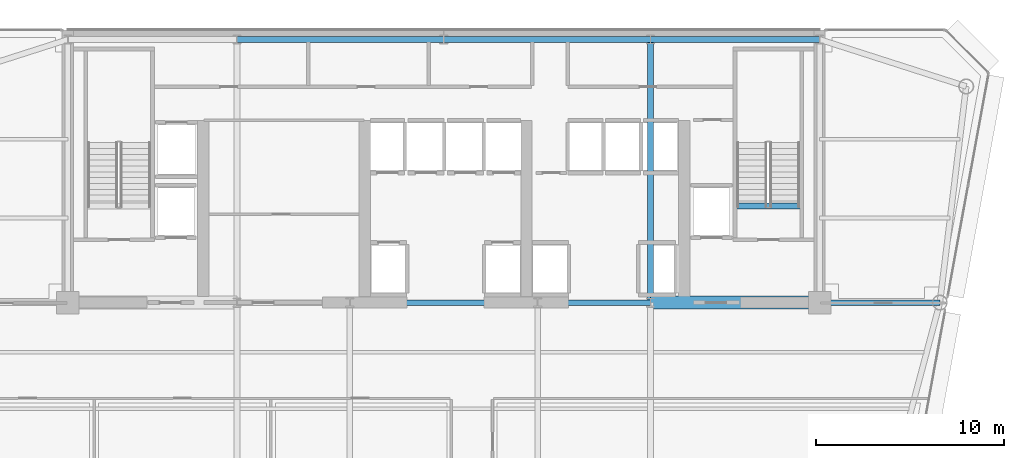
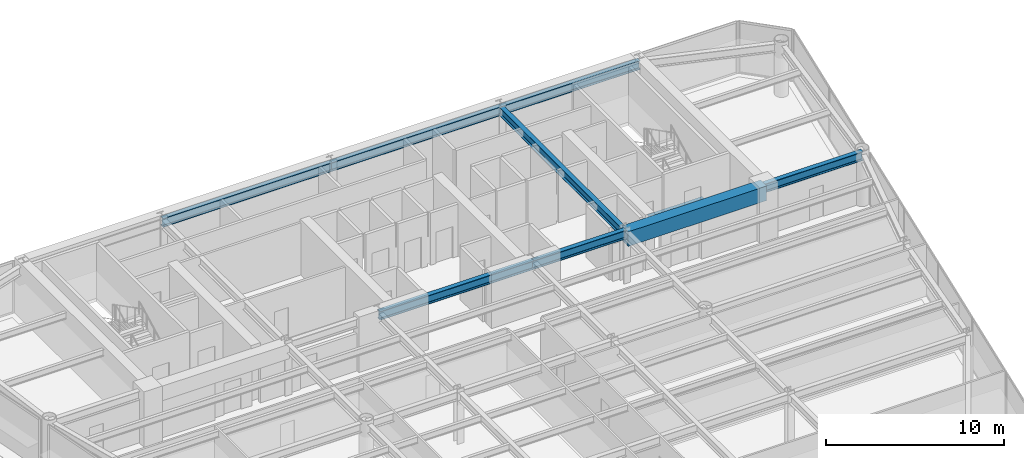
# One storey, part 8 of 17: 9 beams.
"""IFC4 building model written with IfcOpenShell, lengths in metres."""

from ifc_helpers import new_model, si_unit, direction, frame, origin, origin_2d, place, context, subcontext, project, spatial, rectangle, i_section, extrude, source, transform, mapped, material, material_profile, profile_set, type_object, element, save


model = new_model("IFC4")

# Units and contexts
model_context = context("Model", 3, precision=1e-05, world=origin(), true_north=direction((0.0, 1.0)))
body_context = subcontext(model_context, "Body", "Model", "MODEL_VIEW")
ifc_project = project(units=[si_unit("LENGTHUNIT", "METRE"), si_unit("AREAUNIT", "SQUARE_METRE"), si_unit("VOLUMEUNIT", "CUBIC_METRE"), si_unit("PLANEANGLEUNIT", "RADIAN"), si_unit("MASSUNIT", "GRAM", prefix="KILO")], contexts=[model_context])

# Site, building, storey
site_placement = place(None, origin())
site = spatial("IfcSite", under=ifc_project, at=site_placement, CompositionType="ELEMENT")
building_placement = place(site_placement, origin())
building = spatial("IfcBuilding", under=site, at=building_placement, Name="Vaeldorn Concourse Tower", CompositionType="ELEMENT")
storey_placement = place(building_placement, frame((0.0, 0.0, 180.39990234375)))
storey = spatial("IfcBuildingStorey", under=building, at=storey_placement, Name="L46", CompositionType="ELEMENT", Elevation=180.39990234375)

# Beams
ifc_material_1 = material(Name="Concrete C50/60", Category="concrete")
ifc_material_profile_1 = material_profile(ifc_material_1, rectangle(XDim=0.699951171875, YDim=1.0, at=origin_2d()), Name="RC 700x1000")
ifc_profile_set_1 = profile_set([ifc_material_profile_1], Name="Concrete C50/60")
beam_type_1 = type_object("IfcBeamType", Name="BM-CB-RC700", PredefinedType="BEAM", material=ifc_profile_set_1)
shared_shape_1 = source(origin(), body_context, "Body", "SweptSolid", [
    extrude(rectangle(XDim=0.699951171875, YDim=1.0, at=origin_2d()), origin(), (0.0, 0.0, 1.0), 9.0),
])
beam_1_placement = place(storey_placement, frame((45.0, 36.5, 3.080078125), z_axis=(1.0, 0.0, 0.0), x_axis=(0.0, 1.0, 0.0)))
element("IfcBeam", 1, at=beam_1_placement, inside=storey, type_object=beam_type_1, Name="Core Coupling Beam L46-2", PredefinedType="BEAM", context=body_context, shape_type="MappedRepresentation", body=[
    mapped(shared_shape_1, transform((0.0, 0.0, 0.0), scale=1.0)),
])
ifc_material_2 = material(Name="Steel S355", Category="steel")
ifc_material_profile_2 = material_profile(ifc_material_2, i_section(OverallWidth=0.300048828125, OverallDepth=0.340087890625, WebThickness=0.011962890625, FlangeThickness=0.021484375, FilletRadius=0.027099609375, at=origin_2d()), Name="HEB 340")
ifc_profile_set_2 = profile_set([ifc_material_profile_2], Name="Steel S355")
beam_type_2 = type_object("IfcBeamType", Name="BM-ST-TRIM", PredefinedType="BEAM", material=ifc_profile_set_2)
shared_shape_2 = source(origin(), body_context, "Body", "SweptSolid", [
    extrude(i_section(OverallWidth=0.300048828125, OverallDepth=0.340087890625, WebThickness=0.011962890625, FlangeThickness=0.021484375, FilletRadius=0.027099609375, at=origin_2d()), origin(), (0.0, 0.0, 1.0), 3.590087890625),
])
beam_2_placement = place(storey_placement, frame((49.47998046875, 41.639892578125, -0.389892578125), z_axis=(1.0, 0.0, 0.0), x_axis=(0.0, 1.0, 0.0)))
element("IfcBeam", 2, at=beam_2_placement, inside=storey, type_object=beam_type_2, Name="Stair Landing Trimmer Beam ST-2 L46", PredefinedType="BEAM", context=body_context, shape_type="MappedRepresentation", body=[
    mapped(shared_shape_2, transform((0.0, 0.0, 0.0), scale=1.0)),
])
ifc_material_profile_3 = material_profile(ifc_material_2, i_section(OverallWidth=0.300048828125, OverallDepth=0.60009765625, WebThickness=0.015380859375, FlangeThickness=0.030029296875, FilletRadius=0.027099609375, at=origin_2d()), Name="HEB 600")
ifc_profile_set_3 = profile_set([ifc_material_profile_3], Name="Steel S355")
beam_type_3 = type_object("IfcBeamType", Name="BM-PG-HEB600", PredefinedType="BEAM", material=ifc_profile_set_3)
shared_shape_3 = source(origin(), body_context, "Body", "SweptSolid", [
    extrude(i_section(OverallWidth=0.300048828125, OverallDepth=0.60009765625, WebThickness=0.015380859375, FlangeThickness=0.030029296875, FilletRadius=0.027099609375, at=origin_2d()), origin(), (0.0, 0.0, 1.0), 6.0),
])
beam_3_placement = place(storey_placement, frame((39.0, 36.5, 3.280029296875), z_axis=(1.0, 0.0, 0.0), x_axis=(0.0, 1.0, 0.0)))
element("IfcBeam", 3, at=beam_3_placement, inside=storey, type_object=beam_type_3, Name="Beam BM-L46-C-FC4-C-FC5", PredefinedType="BEAM", context=body_context, shape_type="MappedRepresentation", body=[
    mapped(shared_shape_3, transform((0.0, 0.0, 0.0), scale=1.0)),
])
shared_shape_4 = source(origin(), body_context, "Body", "SweptSolid", [
    extrude(i_section(OverallWidth=0.300048828125, OverallDepth=0.60009765625, WebThickness=0.015380859375, FlangeThickness=0.030029296875, FilletRadius=0.027099609375, at=origin_2d()), origin(), (0.0, 0.0, 1.0), 10.0),
])
beam_4_placement = place(storey_placement, frame((29.0, 36.5, 3.280029296875), z_axis=(1.0, 0.0, 0.0), x_axis=(0.0, 1.0, 0.0)))
element("IfcBeam", 4, at=beam_4_placement, inside=storey, type_object=beam_type_3, Name="Beam BM-L46-C-FC3-C-FC4", PredefinedType="BEAM", context=body_context, shape_type="MappedRepresentation", body=[
    mapped(shared_shape_4, transform((0.0, 0.0, 0.0), scale=1.0)),
])
shared_shape_5 = source(origin(), body_context, "Body", "SweptSolid", [
    extrude(i_section(OverallWidth=0.300048828125, OverallDepth=0.60009765625, WebThickness=0.015380859375, FlangeThickness=0.030029296875, FilletRadius=0.027099609375, at=origin_2d()), origin(), (0.0, 0.0, 1.0), 9.0),
])
beam_5_placement = place(storey_placement, frame((45.0, 50.5, 3.280029296875), z_axis=(1.0, 0.0, 0.0), x_axis=(0.0, 1.0, 0.0)))
element("IfcBeam", 5, at=beam_5_placement, inside=storey, type_object=beam_type_3, Name="Beam BM-L46-C-HC4-C-HC5", PredefinedType="BEAM", context=body_context, shape_type="MappedRepresentation", body=[
    mapped(shared_shape_5, transform((0.0, 0.0, 0.0), scale=1.0)),
])
shared_shape_6 = source(origin(), body_context, "Body", "SweptSolid", [
    extrude(i_section(OverallWidth=0.300048828125, OverallDepth=0.60009765625, WebThickness=0.015380859375, FlangeThickness=0.030029296875, FilletRadius=0.027099609375, at=origin_2d()), origin(), (0.0, 0.0, 1.0), 11.0),
])
for number, where, z_axis, x_axis, name in (
    (6, (23.0, 50.5, 3.280029296875), (1.0, 0.0, 0.0), (0.0, 1.0, 0.0), "Beam BM-L46-C-HC2-C-HC3"),
    (7, (34.0, 50.5, 3.280029296875), (1.0, 0.0, 0.0), (0.0, 1.0, 0.0), "Beam BM-L46-C-HC3-C-HC4"),
):
    element("IfcBeam", number, at=place(storey_placement, frame(where, z_axis=z_axis, x_axis=x_axis)), inside=storey, type_object=beam_type_3, Name=name, PredefinedType="BEAM", context=body_context, shape_type="MappedRepresentation", body=[
        mapped(shared_shape_6, transform((0.0, 0.0, 0.0), scale=1.0)),
    ])
shared_shape_7 = source(origin(), body_context, "Body", "SweptSolid", [
    extrude(i_section(OverallWidth=0.300048828125, OverallDepth=0.60009765625, WebThickness=0.015380859375, FlangeThickness=0.030029296875, FilletRadius=0.027099609375, at=origin_2d()), origin(), (0.0, 0.0, 1.0), 14.0),
])
beam_6_placement = place(storey_placement, frame((45.0, 36.5, 3.280029296875), z_axis=(0.0, 1.0, 0.0), x_axis=(-1.0, 0.0, 0.0)))
element("IfcBeam", 8, at=beam_6_placement, inside=storey, type_object=beam_type_3, Name="Beam BM-L46-C-FC5-C-HC4", PredefinedType="BEAM", context=body_context, shape_type="MappedRepresentation", body=[
    mapped(shared_shape_7, transform((0.0, 0.0, 0.0), scale=1.0)),
])
shared_shape_8 = source(origin(), body_context, "Body", "SweptSolid", [
    extrude(i_section(OverallWidth=0.300048828125, OverallDepth=0.60009765625, WebThickness=0.015380859375, FlangeThickness=0.030029296875, FilletRadius=0.027099609375, at=origin_2d()), origin(), (0.0, 0.0, 1.0), 6.39990234375),
])
beam_7_placement = place(storey_placement, frame((54.0, 36.5, 3.280029296875), z_axis=(1.0, 0.0, 0.0), x_axis=(0.0, 1.0, 0.0)))
element("IfcBeam", 9, at=beam_7_placement, inside=storey, type_object=beam_type_3, Name="Beam BM-L46-C-FC6-C-NE2", PredefinedType="BEAM", context=body_context, shape_type="MappedRepresentation", body=[
    mapped(shared_shape_8, transform((0.0, 0.0, 0.0), scale=1.0)),
])

save(model, "model.ifc")
